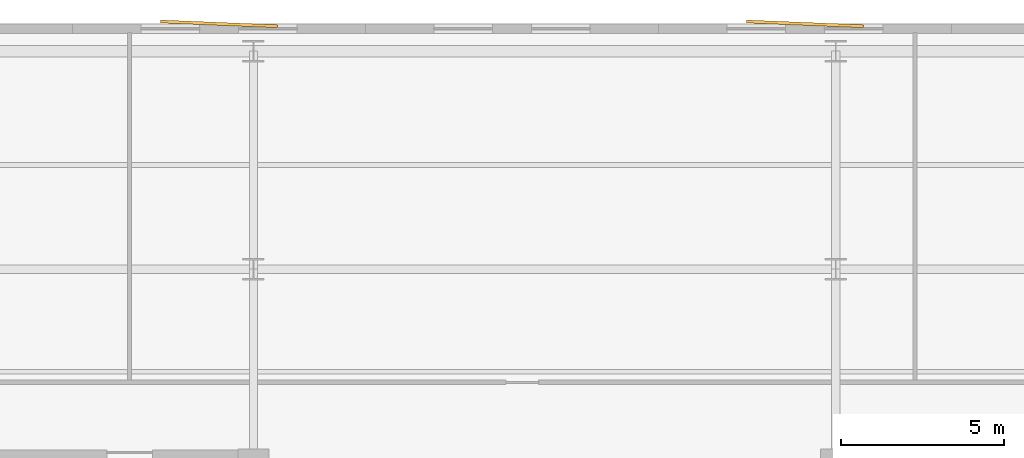
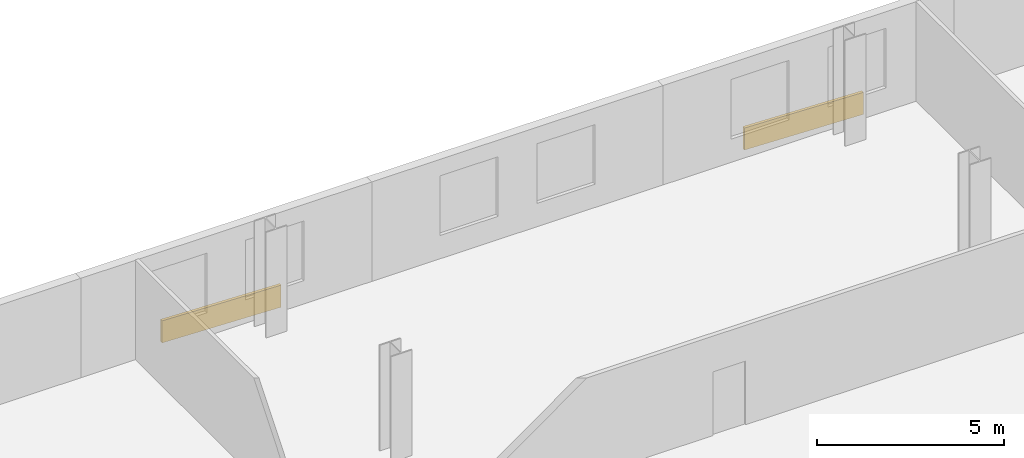
# One storey, part 10 of 10: 2 coverings.
"""IFC4 building model written with IfcOpenShell, lengths in metres."""

from ifc_helpers import new_model, si_unit, direction, frame, origin, origin_2d, place, context, subcontext, project, spatial, rectangle, extrude, material, layer, layer_set, type_object, element, save


model = new_model("IFC4")

# Units and contexts
model_context = context("Model", 3, precision=1e-05, world=origin(), true_north=direction((0.0, 1.0)))
body_context = subcontext(model_context, "Body", "Model", "MODEL_VIEW")
ifc_project = project(units=[si_unit("LENGTHUNIT", "METRE"), si_unit("AREAUNIT", "SQUARE_METRE"), si_unit("VOLUMEUNIT", "CUBIC_METRE"), si_unit("PLANEANGLEUNIT", "RADIAN"), si_unit("MASSUNIT", "GRAM", prefix="KILO")], contexts=[model_context])

# Site, building, storey
site_placement = place(None, origin())
site = spatial("IfcSite", under=ifc_project, at=site_placement, CompositionType="ELEMENT")
building_placement = place(site_placement, origin())
building = spatial("IfcBuilding", under=site, at=building_placement, Name="Velakula Bourse", CompositionType="ELEMENT")
storey_placement = place(building_placement, frame((0.0, 0.0, 124.300048828125)))
storey = spatial("IfcBuildingStorey", under=building, at=storey_placement, Name="L33", CompositionType="ELEMENT", Elevation=124.300048828125)

# Coverings
ifc_material = material(Name="Red kilned clay facing brick masonry", Category="masonry")
ifc_layer = layer(ifc_material, 0.090087890625, Name="Red kilned clay facing brick masonry", Category="masonry")
ifc_layer_set = layer_set([ifc_layer], Name="Red kilned clay facing brick masonry")
covering_type = type_object("IfcCoveringType", Name="COV-BRK-FOLD-90", PredefinedType="CLADDING", material=ifc_layer_set)
for number, where, z_axis, x_axis, name in (
    (1, (-10.0, 22.139892578125, 0.0), (0.0, 0.0, 1.0), (0.999158993058, -0.041003738744, 0.0), "L33 Folded Brick Facade Cladding Panel N-B2"),
    (2, (8.0, 22.139892578125, 0.0), (0.0, 0.0, 1.0), (0.999158993058, -0.041003738744, 0.0), "L33 Folded Brick Facade Cladding Panel N-B4"),
):
    element("IfcCovering", number, at=place(storey_placement, frame(where, z_axis=z_axis, x_axis=x_axis)), inside=storey, type_object=covering_type, Name=name, PredefinedType="CLADDING", context=body_context, shape_type="SweptSolid", body=[
        extrude(rectangle(XDim=3.60009765625, YDim=0.090087890625, at=origin_2d()), origin(), (0.0, 0.0, 1.0), 0.719970703125),
    ])

save(model, "model.ifc")
